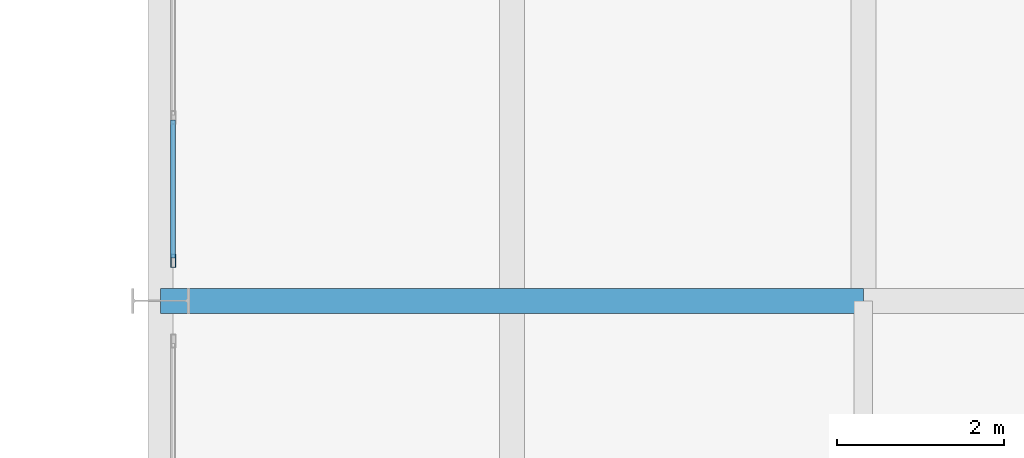
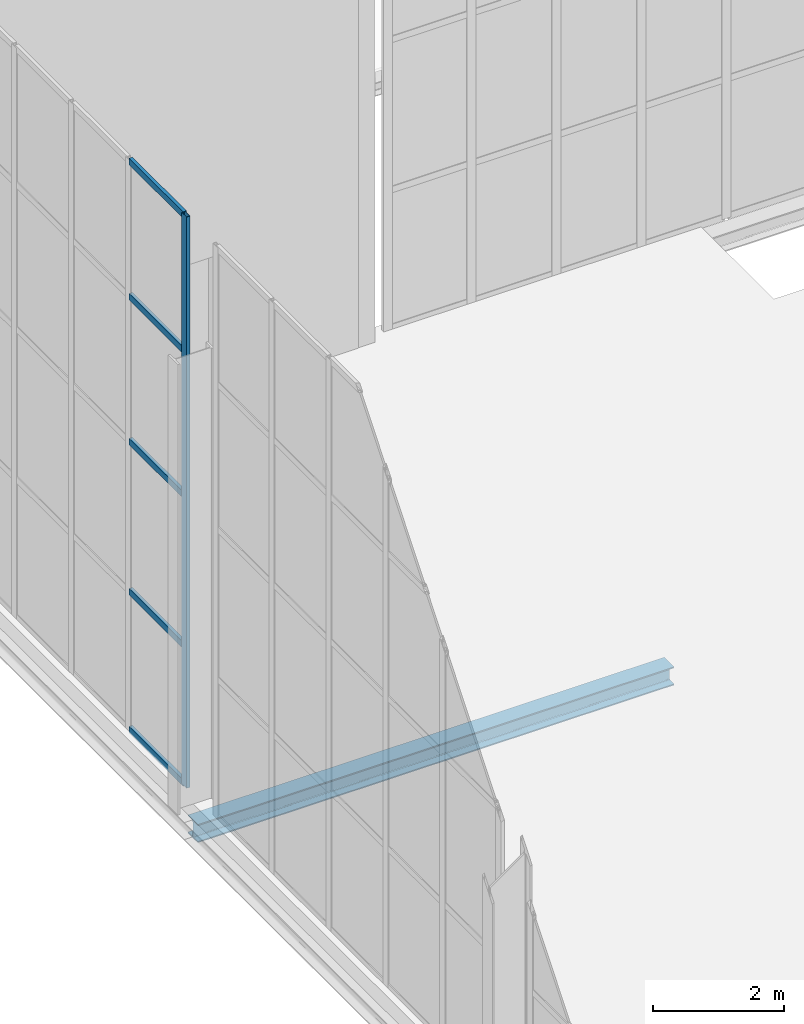
# One storey, part 49 of 131: 6 members, 1 beam, 1 element without a shape of its own.
"""IFC4 building model written with IfcOpenShell, lengths in metres."""

from ifc_helpers import new_model, si_unit, direction, frame, origin, origin_2d, place, context, subcontext, project, spatial, hollow_rectangle, i_section, extrude, material, material_profile, profile_set, type_object, element, aggregate, save


model = new_model("IFC4")

# Units and contexts
model_context = context("Model", 3, precision=1e-05, world=origin(), true_north=direction((0.0, 1.0)))
body_context = subcontext(model_context, "Body", "Model", "MODEL_VIEW")
ifc_project = project(units=[si_unit("LENGTHUNIT", "METRE"), si_unit("AREAUNIT", "SQUARE_METRE"), si_unit("VOLUMEUNIT", "CUBIC_METRE"), si_unit("PLANEANGLEUNIT", "RADIAN"), si_unit("MASSUNIT", "GRAM", prefix="KILO")], contexts=[model_context])

# Site, building, storey
site_placement = place(None, origin())
site = spatial("IfcSite", under=ifc_project, at=site_placement, CompositionType="ELEMENT")
building_placement = place(site_placement, origin())
building = spatial("IfcBuilding", under=site, at=building_placement, Name="Veltarok Museum of Natural Sciences", CompositionType="ELEMENT")
storey_placement = place(building_placement, origin())
storey = spatial("IfcBuildingStorey", under=building, at=storey_placement, Name="L00", CompositionType="ELEMENT", Elevation=0.0)

# Curtain wall, members
ifc_material_1 = material(Name="Low-iron triple insulated glass", Category="glass")
curtain_wall_type = type_object("IfcCurtainWallType", Name="Curtain Wall System CW-PAS-NW-KL-870x1065 (Sculpture Court Passage K-L 870x1065cm)", PredefinedType="NOTDEFINED", material=ifc_material_1)
curtain_wall_placement = place(storey_placement, origin())
curtain_wall = element("IfcCurtainWall", 1, at=curtain_wall_placement, inside=storey, type_object=curtain_wall_type, Name="Curtain Wall CW-PAS-NW-KL-870x1065 CW-0026", PredefinedType="NOTDEFINED")
ifc_material_2 = material(Name="Thermally broken anodised aluminium", Category="aluminium")
ifc_material_profile_1 = material_profile(ifc_material_2, hollow_rectangle(XDim=0.06005859375, YDim=0.1201171875, WallThickness=0.0048828125, at=origin_2d()), Name="CW TRANSOM 60x120x5")
ifc_profile_set_1 = profile_set([ifc_material_profile_1], Name="Thermally broken anodised aluminium")
member_type_1 = type_object("IfcMemberType", Name="Curtain Wall Horizontal Transom 60x120x5", PredefinedType="USERDEFINED", material=ifc_profile_set_1)
member_1_placement = place(storey_placement, frame((31.75, 91.7099609375, 0.030029296875), z_axis=(0.0, 1.0, 0.0), x_axis=(-1.0, 0.0, 0.0)))
member_1 = element("IfcMember", 2, at=member_1_placement, type_object=member_type_1, Name="CW-PAS-NW-KL-870x1065 transom 1.1", ObjectType="TRANSOM", PredefinedType="USERDEFINED", context=body_context, shape_type="SweptSolid", body=[
    extrude(hollow_rectangle(XDim=0.06005859375, YDim=0.1201171875, WallThickness=0.0048828125, at=origin_2d()), origin(), (0.0, 0.0, 1.0), 1.650146484375),
])
member_2_placement = place(storey_placement, frame((31.75, 91.7099609375, 2.60009765625), z_axis=(0.0, 1.0, 0.0), x_axis=(-1.0, 0.0, 0.0)))
member_2 = element("IfcMember", 3, at=member_2_placement, type_object=member_type_1, Name="CW-PAS-NW-KL-870x1065 transom 1.2", ObjectType="TRANSOM", PredefinedType="USERDEFINED", context=body_context, shape_type="SweptSolid", body=[
    extrude(hollow_rectangle(XDim=0.06005859375, YDim=0.1201171875, WallThickness=0.0048828125, at=origin_2d()), origin(), (0.0, 0.0, 1.0), 1.650146484375),
])
member_3_placement = place(storey_placement, frame((31.75, 91.7099609375, 5.39990234375), z_axis=(0.0, 1.0, 0.0), x_axis=(-1.0, 0.0, 0.0)))
member_3 = element("IfcMember", 4, at=member_3_placement, type_object=member_type_1, Name="CW-PAS-NW-KL-870x1065 transom 1.3", ObjectType="TRANSOM", PredefinedType="USERDEFINED", context=body_context, shape_type="SweptSolid", body=[
    extrude(hollow_rectangle(XDim=0.06005859375, YDim=0.1201171875, WallThickness=0.0048828125, at=origin_2d()), origin(), (0.0, 0.0, 1.0), 1.650146484375),
])
member_4_placement = place(storey_placement, frame((31.75, 91.7099609375, 8.10009765625), z_axis=(0.0, 1.0, 0.0), x_axis=(-1.0, 0.0, 0.0)))
member_4 = element("IfcMember", 5, at=member_4_placement, type_object=member_type_1, Name="CW-PAS-NW-KL-870x1065 transom 1.4", ObjectType="TRANSOM", PredefinedType="USERDEFINED", context=body_context, shape_type="SweptSolid", body=[
    extrude(hollow_rectangle(XDim=0.06005859375, YDim=0.1201171875, WallThickness=0.0048828125, at=origin_2d()), origin(), (0.0, 0.0, 1.0), 1.650146484375),
])
member_5_placement = place(storey_placement, frame((31.75, 91.7099609375, 10.6201171875), z_axis=(0.0, 1.0, 0.0), x_axis=(-1.0, 0.0, 0.0)))
member_5 = element("IfcMember", 6, at=member_5_placement, type_object=member_type_1, Name="CW-PAS-NW-KL-870x1065 transom 1.5", ObjectType="TRANSOM", PredefinedType="USERDEFINED", context=body_context, shape_type="SweptSolid", body=[
    extrude(hollow_rectangle(XDim=0.06005859375, YDim=0.1201171875, WallThickness=0.0048828125, at=origin_2d()), origin(), (0.0, 0.0, 1.0), 1.650146484375),
])
ifc_material_profile_2 = material_profile(ifc_material_2, hollow_rectangle(XDim=0.06005859375, YDim=0.159912109375, WallThickness=0.0048828125, at=origin_2d()), Name="CW MULLION 60x160x5")
ifc_profile_set_2 = profile_set([ifc_material_profile_2], Name="Thermally broken anodised aluminium")
member_type_2 = type_object("IfcMemberType", Name="Curtain Wall Vertical Mullion 60x160x5", PredefinedType="MULLION", material=ifc_profile_set_2)
member_6_placement = place(storey_placement, frame((31.75, 91.679931640625, 0.0), z_axis=(0.0, 0.0, 1.0), x_axis=(-1.0, 0.0, 0.0)))
member_6 = element("IfcMember", 7, at=member_6_placement, type_object=member_type_2, Name="CW-PAS-NW-KL-870x1065 mullion 1", PredefinedType="MULLION", context=body_context, shape_type="SweptSolid", body=[
    extrude(hollow_rectangle(XDim=0.06005859375, YDim=0.159912109375, WallThickness=0.0048828125, at=origin_2d()), origin(), (0.0, 0.0, 1.0), 10.64990234375),
])
aggregate(curtain_wall, [member_6, member_1, member_2, member_3, member_4, member_5])

# Beam
ifc_material_3 = material(Name="Steel S355J2", Category="steel")
ifc_material_profile_3 = material_profile(ifc_material_3, i_section(OverallWidth=0.300048828125, OverallDepth=0.340087890625, WebThickness=0.011962890625, FlangeThickness=0.021484375, FilletRadius=0.027099609375, at=origin_2d()), Name="HEB 340")
ifc_profile_set_3 = profile_set([ifc_material_profile_3], Name="Steel S355J2")
beam_type = type_object("IfcBeamType", Name="Perimeter Bridge Spandrel HEB 340", PredefinedType="SPANDREL", material=ifc_profile_set_3)
beam_placement = place(storey_placement, frame((31.60009765625, 91.199951171875, -0.469970703125), z_axis=(1.0, 0.0, 0.0), x_axis=(0.0, 1.0, 0.0)))
element("IfcBeam", 8, at=beam_placement, inside=storey, type_object=beam_type, Name="Beam BM-SP07 L00 4-5/K", PredefinedType="SPANDREL", context=body_context, shape_type="SweptSolid", body=[
    extrude(i_section(OverallWidth=0.300048828125, OverallDepth=0.340087890625, WebThickness=0.011962890625, FlangeThickness=0.021484375, FilletRadius=0.027099609375, at=origin_2d()), origin(), (0.0, 0.0, 1.0), 8.39990234375),
])

save(model, "model.ifc")
